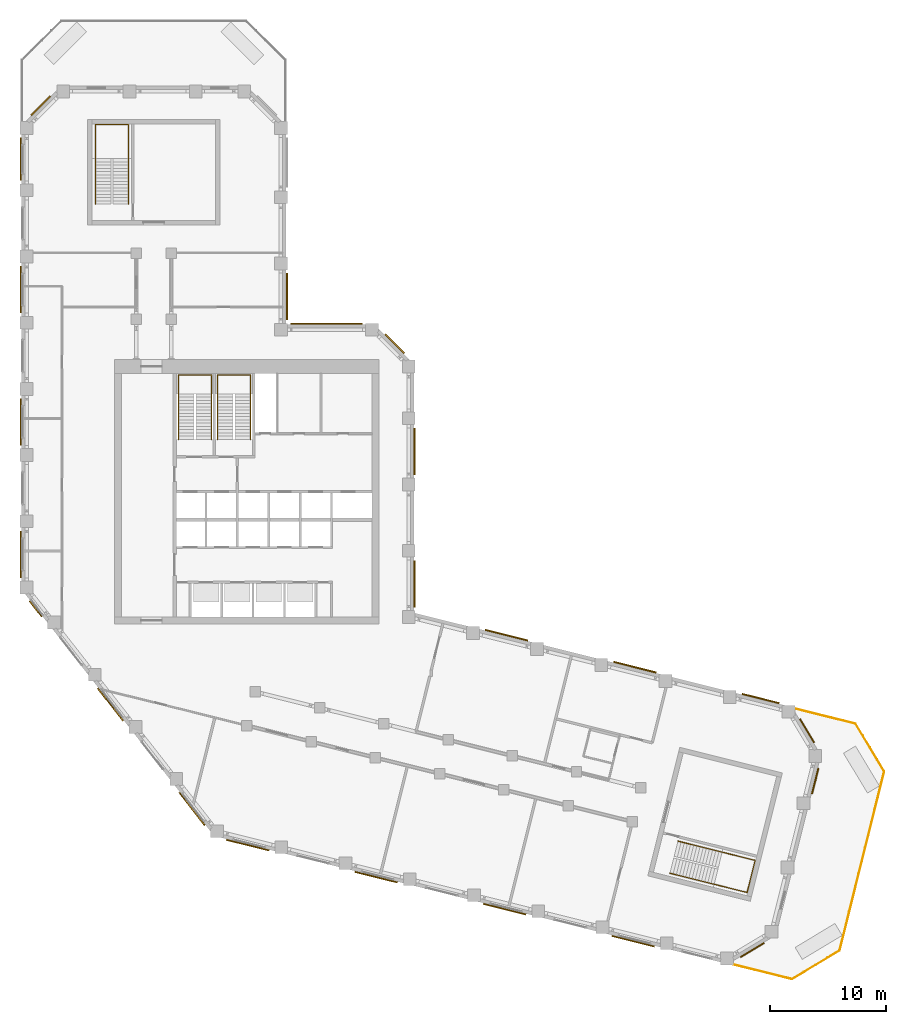
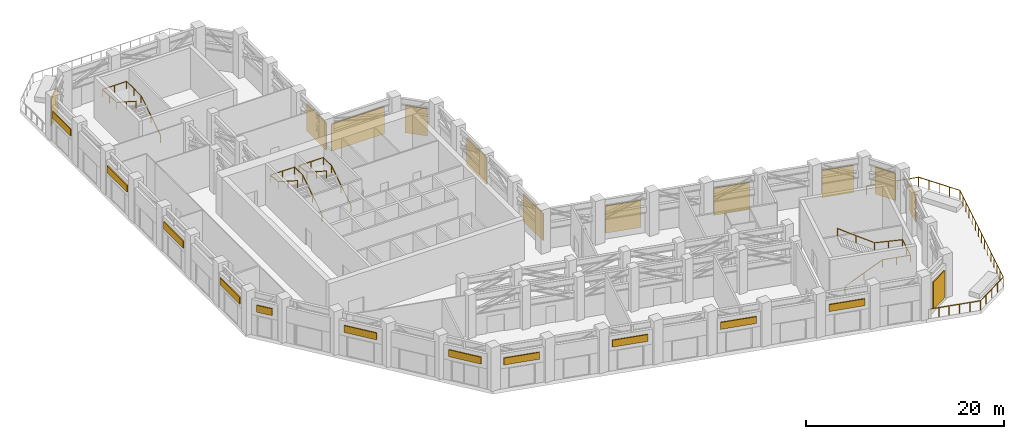
# One storey, part 19 of 21: 23 shading devices, 5 railings.
"""IFC4 building model written with IfcOpenShell, lengths in metres."""

from ifc_helpers import new_model, si_unit, direction, frame, origin, origin_2d, place, context, subcontext, project, spatial, rectangle, circle, extrude, material, layer, layer_set, type_object, element, save


model = new_model("IFC4")

# Units and contexts
model_context = context("Model", 3, precision=1e-05, world=origin(), true_north=direction((0.0, 1.0)))
body_context = subcontext(model_context, "Body", "Model", "MODEL_VIEW")
ifc_project = project(units=[si_unit("LENGTHUNIT", "METRE"), si_unit("AREAUNIT", "SQUARE_METRE"), si_unit("VOLUMEUNIT", "CUBIC_METRE"), si_unit("PLANEANGLEUNIT", "RADIAN"), si_unit("MASSUNIT", "GRAM", prefix="KILO")], contexts=[model_context])

# Site, building, storey
site_placement = place(None, origin())
site = spatial("IfcSite", under=ifc_project, at=site_placement, CompositionType="ELEMENT")
building_placement = place(site_placement, origin())
building = spatial("IfcBuilding", under=site, at=building_placement, Name="Meshkara Civic Tower", CompositionType="ELEMENT")
storey_placement = place(building_placement, frame((0.0, 0.0, 284.39990234375)))
storey = spatial("IfcBuildingStorey", under=building, at=storey_placement, Name="L65", CompositionType="ELEMENT", Elevation=284.39990234375)

# Shading devices
ifc_material_1 = material(Name="Bronze anodised aluminium louvre blades", Category="aluminium")
ifc_layer = layer(ifc_material_1, 0.1201171875)
ifc_layer_set = layer_set([ifc_layer], Name="PLANT LOUVRE BANK")
shading_device_type = type_object("IfcShadingDeviceType", Name="PLANT LOUVRE BANK", PredefinedType="USERDEFINED", material=ifc_layer_set)
shading_device_1_placement = place(storey_placement, frame((63.656005859375, 7.68798828125, 0.5), z_axis=(0.0, 0.0, 1.0), x_axis=(-0.970291503795, 0.241938830418, 0.0)))
element("IfcShadingDevice", 1, at=shading_device_1_placement, inside=storey, type_object=shading_device_type, Name="Louvre bank", ObjectType="LOUVRE", PredefinedType="USERDEFINED", context=body_context, shape_type="SweptSolid", body=[
    extrude(rectangle(XDim=3.281982421875, YDim=0.1201171875, at=origin_2d()), origin(), (0.0, 0.0, 1.0), 3.35009765625),
])
shading_device_2_placement = place(storey_placement, frame((52.8310546875, 10.387939453125, 0.5), z_axis=(0.0, 0.0, 1.0), x_axis=(-0.970291503795, 0.241938830418, 0.0)))
element("IfcShadingDevice", 2, at=shading_device_2_placement, inside=storey, type_object=shading_device_type, Name="Louvre bank", ObjectType="LOUVRE", PredefinedType="USERDEFINED", context=body_context, shape_type="SweptSolid", body=[
    extrude(rectangle(XDim=3.76708984375, YDim=0.1201171875, at=origin_2d()), origin(), (0.0, 0.0, 1.0), 3.35009765625),
])
shading_device_3_placement = place(storey_placement, frame((41.76904296875, 13.14599609375, 0.5), z_axis=(0.0, 0.0, 1.0), x_axis=(-0.970291503795, 0.241938830418, 0.0)))
element("IfcShadingDevice", 3, at=shading_device_3_placement, inside=storey, type_object=shading_device_type, Name="Louvre bank", ObjectType="LOUVRE", PredefinedType="USERDEFINED", context=body_context, shape_type="SweptSolid", body=[
    extrude(rectangle(XDim=3.76611328125, YDim=0.1201171875, at=origin_2d()), origin(), (0.0, 0.0, 1.0), 3.35009765625),
])
for number, where, z_axis, x_axis, name in (
    (4, (33.860107421875, 17.569091796875, 0.5), (0.0, 0.0, 1.0), (0.0, 1.0, 0.0), "Louvre bank"),
    (5, (33.860107421875, 28.968994140625, 0.5), (0.0, 0.0, 1.0), (0.0, 1.0, 0.0), "Louvre bank"),
):
    element("IfcShadingDevice", number, at=place(storey_placement, frame(where, z_axis=z_axis, x_axis=x_axis)), inside=storey, type_object=shading_device_type, Name=name, ObjectType="LOUVRE", PredefinedType="USERDEFINED", context=body_context, shape_type="SweptSolid", body=[
        extrude(rectangle(XDim=4.0, YDim=0.1201171875, at=origin_2d()), origin(), (0.0, 0.0, 1.0), 3.35009765625),
    ])
shading_device_4_placement = place(storey_placement, frame((32.132080078125, 38.23193359375, 0.5), z_axis=(0.0, 0.0, 1.0), x_axis=(-0.707106781187, 0.707106781187, 0.0)))
element("IfcShadingDevice", 6, at=shading_device_4_placement, inside=storey, type_object=shading_device_type, Name="Louvre bank", ObjectType="LOUVRE", PredefinedType="USERDEFINED", context=body_context, shape_type="SweptSolid", body=[
    extrude(rectangle(XDim=2.30810546875, YDim=0.1201171875, at=origin_2d()), origin(), (0.0, 0.0, 1.0), 3.35009765625),
])
shading_device_5_placement = place(storey_placement, frame((26.27197265625, 39.9599609375, 0.5), z_axis=(0.0, 0.0, 1.0), x_axis=(-1.0, 0.0, 0.0)))
element("IfcShadingDevice", 7, at=shading_device_5_placement, inside=storey, type_object=shading_device_type, Name="Louvre bank", ObjectType="LOUVRE", PredefinedType="USERDEFINED", context=body_context, shape_type="SweptSolid", body=[
    extrude(rectangle(XDim=6.14404296875, YDim=0.1201171875, at=origin_2d()), origin(), (0.0, 0.0, 1.0), 3.35009765625),
])
shading_device_6_placement = place(storey_placement, frame((22.860107421875, 42.300048828125, 0.5), z_axis=(0.0, 0.0, 1.0), x_axis=(0.0, 1.0, 0.0)))
element("IfcShadingDevice", 8, at=shading_device_6_placement, inside=storey, type_object=shading_device_type, Name="Louvre bank", ObjectType="LOUVRE", PredefinedType="USERDEFINED", context=body_context, shape_type="SweptSolid", body=[
    extrude(rectangle(XDim=4.0, YDim=0.1201171875, at=origin_2d()), origin(), (0.0, 0.0, 1.0), 3.35009765625),
])
shading_device_7_placement = place(storey_placement, frame((1.66796875, 58.751953125, 0.5), z_axis=(0.0, 0.0, 1.0), x_axis=(-0.707106781187, -0.707106781187, 0.0)))
element("IfcShadingDevice", 9, at=shading_device_7_placement, inside=storey, type_object=shading_device_type, Name="Louvre bank", ObjectType="LOUVRE", PredefinedType="USERDEFINED", context=body_context, shape_type="SweptSolid", body=[
    extrude(rectangle(XDim=2.30810546875, YDim=0.1201171875, at=origin_2d()), origin(), (0.0, 0.0, 1.0), 3.35009765625),
])
shading_device_8_placement = place(storey_placement, frame((-0.06005859375, 54.135009765625, 3.0), z_axis=(0.0, 0.0, 1.0), x_axis=(0.0, -1.0, 0.0)))
element("IfcShadingDevice", 10, at=shading_device_8_placement, inside=storey, type_object=shading_device_type, Name="Louvre bank", ObjectType="LOUVRE", PredefinedType="USERDEFINED", context=body_context, shape_type="SweptSolid", body=[
    extrude(rectangle(XDim=3.658935546875, YDim=0.1201171875, at=origin_2d()), origin(), (0.0, 0.0, 1.0), 0.85009765625),
])
for number, where, z_axis, x_axis, name in (
    (11, (-0.06005859375, 42.905029296875, 3.0), (0.0, 0.0, 1.0), (0.0, -1.0, 0.0), "Louvre bank"),
    (12, (-0.06005859375, 31.5048828125, 3.0), (0.0, 0.0, 1.0), (0.0, -1.0, 0.0), "Louvre bank"),
    (13, (-0.06005859375, 20.10498046875, 3.0), (0.0, 0.0, 1.0), (0.0, -1.0, 0.0), "Louvre bank"),
):
    element("IfcShadingDevice", number, at=place(storey_placement, frame(where, z_axis=z_axis, x_axis=x_axis)), inside=storey, type_object=shading_device_type, Name=name, ObjectType="LOUVRE", PredefinedType="USERDEFINED", context=body_context, shape_type="SweptSolid", body=[
        extrude(rectangle(XDim=4.0, YDim=0.1201171875, at=origin_2d()), origin(), (0.0, 0.0, 1.0), 0.85009765625),
    ])
shading_device_9_placement = place(storey_placement, frame((1.22998046875, 15.427978515625, 3.0), z_axis=(0.0, 0.0, 1.0), x_axis=(0.615661475326, -0.788010753607, 0.0)))
element("IfcShadingDevice", 14, at=shading_device_9_placement, inside=storey, type_object=shading_device_type, Name="Louvre bank", ObjectType="LOUVRE", PredefinedType="USERDEFINED", context=body_context, shape_type="SweptSolid", body=[
    extrude(rectangle(XDim=1.696044921875, YDim=0.1201171875, at=origin_2d()), origin(), (0.0, 0.0, 1.0), 0.85009765625),
])
shading_device_10_placement = place(storey_placement, frame((7.676025390625, 7.177001953125, 3.0), z_axis=(0.0, 0.0, 1.0), x_axis=(0.615661475326, -0.788010753607, 0.0)))
element("IfcShadingDevice", 15, at=shading_device_10_placement, inside=storey, type_object=shading_device_type, Name="Louvre bank", ObjectType="LOUVRE", PredefinedType="USERDEFINED", context=body_context, shape_type="SweptSolid", body=[
    extrude(rectangle(XDim=3.556884765625, YDim=0.1201171875, at=origin_2d()), origin(), (0.0, 0.0, 1.0), 0.85009765625),
])
shading_device_11_placement = place(storey_placement, frame((14.695068359375, -1.805908203125, 3.0), z_axis=(0.0, 0.0, 1.0), x_axis=(0.615661475326, -0.788010753607, 0.0)))
element("IfcShadingDevice", 16, at=shading_device_11_placement, inside=storey, type_object=shading_device_type, Name="Louvre bank", ObjectType="LOUVRE", PredefinedType="USERDEFINED", context=body_context, shape_type="SweptSolid", body=[
    extrude(rectangle(XDim=3.555908203125, YDim=0.1201171875, at=origin_2d()), origin(), (0.0, 0.0, 1.0), 0.85009765625),
])
for number, where, z_axis, x_axis, name in (
    (17, (19.492919921875, -4.922119140625, 3.0), (0.0, 0.0, 1.0), (0.970295726276, -0.2419218956, 0.0), "Louvre bank"),
    (18, (30.553955078125, -7.679931640625, 3.0), (0.0, 0.0, 1.0), (0.970295726276, -0.2419218956, 0.0), "Louvre bank"),
):
    element("IfcShadingDevice", number, at=place(storey_placement, frame(where, z_axis=z_axis, x_axis=x_axis)), inside=storey, type_object=shading_device_type, Name=name, ObjectType="LOUVRE", PredefinedType="USERDEFINED", context=body_context, shape_type="SweptSolid", body=[
        extrude(rectangle(XDim=3.76708984375, YDim=0.1201171875, at=origin_2d()), origin(), (0.0, 0.0, 1.0), 0.85009765625),
    ])
shading_device_12_placement = place(storey_placement, frame((41.615966796875, -10.43798828125, 3.0), z_axis=(0.0, 0.0, 1.0), x_axis=(0.970295726276, -0.2419218956, 0.0)))
element("IfcShadingDevice", 19, at=shading_device_12_placement, inside=storey, type_object=shading_device_type, Name="Louvre bank", ObjectType="LOUVRE", PredefinedType="USERDEFINED", context=body_context, shape_type="SweptSolid", body=[
    extrude(rectangle(XDim=3.76611328125, YDim=0.1201171875, at=origin_2d()), origin(), (0.0, 0.0, 1.0), 0.85009765625),
])
shading_device_13_placement = place(storey_placement, frame((52.677001953125, -13.196044921875, 3.0), z_axis=(0.0, 0.0, 1.0), x_axis=(0.970295726276, -0.2419218956, 0.0)))
element("IfcShadingDevice", 20, at=shading_device_13_placement, inside=storey, type_object=shading_device_type, Name="Louvre bank", ObjectType="LOUVRE", PredefinedType="USERDEFINED", context=body_context, shape_type="SweptSolid", body=[
    extrude(rectangle(XDim=3.76708984375, YDim=0.1201171875, at=origin_2d()), origin(), (0.0, 0.0, 1.0), 0.85009765625),
])
shading_device_14_placement = place(storey_placement, frame((62.94091796875, -13.97412109375, 0.5), z_axis=(0.0, 0.0, 1.0), x_axis=(0.857032434676, 0.515262463132, 0.0)))
element("IfcShadingDevice", 21, at=shading_device_14_placement, inside=storey, type_object=shading_device_type, Name="Louvre bank", ObjectType="LOUVRE", PredefinedType="USERDEFINED", context=body_context, shape_type="SweptSolid", body=[
    extrude(rectangle(XDim=2.35400390625, YDim=0.1201171875, at=origin_2d()), origin(), (0.0, 0.0, 1.0), 3.35009765625),
])
shading_device_15_placement = place(storey_placement, frame((68.35107421875, 0.58203125, 0.5), z_axis=(0.0, 0.0, 1.0), x_axis=(0.241938830418, 0.970291503795, 0.0)))
element("IfcShadingDevice", 22, at=shading_device_15_placement, inside=storey, type_object=shading_device_type, Name="Louvre bank", ObjectType="LOUVRE", PredefinedType="USERDEFINED", context=body_context, shape_type="SweptSolid", body=[
    extrude(rectangle(XDim=2.2529296875, YDim=0.1201171875, at=origin_2d()), origin(), (0.0, 0.0, 1.0), 3.35009765625),
])
shading_device_16_placement = place(storey_placement, frame((67.64990234375, 4.912109375, 0.5), z_axis=(0.0, 0.0, 1.0), x_axis=(-0.515008153813, 0.8571852784, 0.0)))
element("IfcShadingDevice", 23, at=shading_device_16_placement, inside=storey, type_object=shading_device_type, Name="Louvre bank", ObjectType="LOUVRE", PredefinedType="USERDEFINED", context=body_context, shape_type="SweptSolid", body=[
    extrude(rectangle(XDim=2.35400390625, YDim=0.1201171875, at=origin_2d()), origin(), (0.0, 0.0, 1.0), 3.35009765625),
])

# Railings
ifc_material_2 = material(Name="Steel handrail", Category="steel")
railing_type_1 = type_object("IfcRailingType", Name="Stair handrail 900", PredefinedType="HANDRAIL", material=ifc_material_2)
railing_1_placement = place(storey_placement, frame((16.375, 30.0, 0.18017578125)))
element("IfcRailing", 24, at=railing_1_placement, inside=storey, type_object=railing_type_1, Name="L65 ST1 stair handrail 1", PredefinedType="HANDRAIL", context=body_context, shape_type="SweptSolid", body=[
    extrude(circle(Radius=0.02392578125, at=origin_2d()), frame((0.0, 0.0, 0.8759765625), z_axis=(0.0, 0.841171666519, 0.540768182723), x_axis=(-1.0, 0.0, 0.0)), (0.0, 0.0, 1.0), 4.66015625),
    extrude(circle(Radius=0.02392578125, at=origin_2d()), frame((0.0, 3.919921875, 3.39599609375), z_axis=(0.0, 1.0, 0.0), x_axis=(-1.0, 0.0, 0.0)), (0.0, 0.0, 1.0), 1.630126953125),
    extrude(circle(Radius=0.02392578125, at=origin_2d()), frame((0.0, 5.550048828125, 3.39599609375), z_axis=(-1.0, 0.0, 0.0), x_axis=(0.0, -1.0, 0.0)), (0.0, 0.0, 1.0), 2.85009765625),
    extrude(circle(Radius=0.02392578125, at=origin_2d()), frame((-2.85009765625, 5.550048828125, 3.39599609375), z_axis=(0.0, -0.99396335279, 0.10971259413), x_axis=(1.0, 0.0, 0.0)), (0.0, 0.0, 1.0), 1.64013671875),
    extrude(circle(Radius=0.02392578125, at=origin_2d()), frame((-2.85009765625, 3.919921875, 3.57568359375), z_axis=(0.0, -0.841171666519, 0.540768182723), x_axis=(1.0, 0.0, 0.0)), (0.0, 0.0, 1.0), 4.66015625),
    extrude(circle(Radius=0.02099609375, at=origin_2d()), origin(), (0.0, 0.0, 1.0), 0.851806640625),
    extrude(circle(Radius=0.02099609375, at=origin_2d()), frame((0.0, 1.9599609375, 1.260009765625)), (0.0, 0.0, 1.0), 0.851806640625),
    extrude(circle(Radius=0.02099609375, at=origin_2d()), frame((0.0, 3.919921875, 2.52001953125)), (0.0, 0.0, 1.0), 0.851806640625),
    extrude(circle(Radius=0.02099609375, at=origin_2d()), frame((0.0, 5.550048828125, 2.52001953125)), (0.0, 0.0, 1.0), 0.851806640625),
    extrude(circle(Radius=0.02099609375, at=origin_2d()), frame((-1.425048828125, 5.550048828125, 2.52001953125)), (0.0, 0.0, 1.0), 0.851806640625),
    extrude(circle(Radius=0.02099609375, at=origin_2d()), frame((-2.85009765625, 5.550048828125, 2.52001953125)), (0.0, 0.0, 1.0), 0.851806640625),
    extrude(circle(Radius=0.02099609375, at=origin_2d()), frame((-2.85009765625, 3.919921875, 2.699951171875)), (0.0, 0.0, 1.0), 0.851806640625),
    extrude(circle(Radius=0.02099609375, at=origin_2d()), frame((-2.85009765625, 1.9599609375, 3.9599609375)), (0.0, 0.0, 1.0), 0.851806640625),
    extrude(circle(Radius=0.02099609375, at=origin_2d()), frame((-2.85009765625, 0.0, 5.219970703125)), (0.0, 0.0, 1.0), 0.851806640625),
])
railing_2_placement = place(storey_placement, frame((19.72509765625, 30.0, 0.18017578125)))
element("IfcRailing", 25, at=railing_2_placement, inside=storey, type_object=railing_type_1, Name="L65 ST2 stair handrail 1", PredefinedType="HANDRAIL", context=body_context, shape_type="SweptSolid", body=[
    extrude(circle(Radius=0.02392578125, at=origin_2d()), frame((0.0, 0.0, 0.8759765625), z_axis=(0.0, 0.841171666519, 0.540768182723), x_axis=(-1.0, 0.0, 0.0)), (0.0, 0.0, 1.0), 4.66015625),
    extrude(circle(Radius=0.02392578125, at=origin_2d()), frame((0.0, 3.919921875, 3.39599609375), z_axis=(0.0, 1.0, 0.0), x_axis=(-1.0, 0.0, 0.0)), (0.0, 0.0, 1.0), 1.630126953125),
    extrude(circle(Radius=0.02392578125, at=origin_2d()), frame((0.0, 5.550048828125, 3.39599609375), z_axis=(-1.0, 0.0, 0.0), x_axis=(0.0, -1.0, 0.0)), (0.0, 0.0, 1.0), 2.85009765625),
    extrude(circle(Radius=0.02392578125, at=origin_2d()), frame((-2.85009765625, 5.550048828125, 3.39599609375), z_axis=(0.0, -0.99396335279, 0.10971259413), x_axis=(1.0, 0.0, 0.0)), (0.0, 0.0, 1.0), 1.64013671875),
    extrude(circle(Radius=0.02392578125, at=origin_2d()), frame((-2.85009765625, 3.919921875, 3.57568359375), z_axis=(0.0, -0.841171666519, 0.540768182723), x_axis=(1.0, 0.0, 0.0)), (0.0, 0.0, 1.0), 4.66015625),
    extrude(circle(Radius=0.02099609375, at=origin_2d()), origin(), (0.0, 0.0, 1.0), 0.851806640625),
    extrude(circle(Radius=0.02099609375, at=origin_2d()), frame((0.0, 1.9599609375, 1.260009765625)), (0.0, 0.0, 1.0), 0.851806640625),
    extrude(circle(Radius=0.02099609375, at=origin_2d()), frame((0.0, 3.919921875, 2.52001953125)), (0.0, 0.0, 1.0), 0.851806640625),
    extrude(circle(Radius=0.02099609375, at=origin_2d()), frame((0.0, 5.550048828125, 2.52001953125)), (0.0, 0.0, 1.0), 0.851806640625),
    extrude(circle(Radius=0.02099609375, at=origin_2d()), frame((-1.425048828125, 5.550048828125, 2.52001953125)), (0.0, 0.0, 1.0), 0.851806640625),
    extrude(circle(Radius=0.02099609375, at=origin_2d()), frame((-2.85009765625, 5.550048828125, 2.52001953125)), (0.0, 0.0, 1.0), 0.851806640625),
    extrude(circle(Radius=0.02099609375, at=origin_2d()), frame((-2.85009765625, 3.919921875, 2.699951171875)), (0.0, 0.0, 1.0), 0.851806640625),
    extrude(circle(Radius=0.02099609375, at=origin_2d()), frame((-2.85009765625, 1.9599609375, 3.9599609375)), (0.0, 0.0, 1.0), 0.851806640625),
    extrude(circle(Radius=0.02099609375, at=origin_2d()), frame((-2.85009765625, 0.0, 5.219970703125)), (0.0, 0.0, 1.0), 0.851806640625),
])
railing_3_placement = place(storey_placement, frame((9.22509765625, 50.27001953125, 0.18017578125)))
element("IfcRailing", 26, at=railing_3_placement, inside=storey, type_object=railing_type_1, Name="L65 ESA5 stair handrail 1", PredefinedType="HANDRAIL", context=body_context, shape_type="SweptSolid", body=[
    extrude(circle(Radius=0.02392578125, at=origin_2d()), frame((0.0, 0.0, 0.8759765625), z_axis=(0.0, 0.841171666519, 0.540768182723), x_axis=(-1.0, 0.0, 0.0)), (0.0, 0.0, 1.0), 4.66015625),
    extrude(circle(Radius=0.02392578125, at=origin_2d()), frame((0.0, 3.919921875, 3.39599609375), z_axis=(0.0, 1.0, 0.0), x_axis=(-1.0, 0.0, 0.0)), (0.0, 0.0, 1.0), 2.93017578125),
    extrude(circle(Radius=0.02392578125, at=origin_2d()), frame((0.0, 6.85009765625, 3.39599609375), z_axis=(-1.0, 0.0, 0.0), x_axis=(0.0, -1.0, 0.0)), (0.0, 0.0, 1.0), 2.85009765625),
    extrude(circle(Radius=0.02392578125, at=origin_2d()), frame((-2.85009765625, 6.85009765625, 3.39599609375), z_axis=(0.0, -0.998119940297, 0.061290984502), x_axis=(1.0, 0.0, 0.0)), (0.0, 0.0, 1.0), 2.935791015625),
    extrude(circle(Radius=0.02392578125, at=origin_2d()), frame((-2.85009765625, 3.919921875, 3.57568359375), z_axis=(0.0, -0.841171666519, 0.540768182723), x_axis=(1.0, 0.0, 0.0)), (0.0, 0.0, 1.0), 4.66015625),
    extrude(circle(Radius=0.02099609375, at=origin_2d()), origin(), (0.0, 0.0, 1.0), 0.851806640625),
    extrude(circle(Radius=0.02099609375, at=origin_2d()), frame((0.0, 1.9599609375, 1.260009765625)), (0.0, 0.0, 1.0), 0.851806640625),
    extrude(circle(Radius=0.02099609375, at=origin_2d()), frame((0.0, 3.919921875, 2.52001953125)), (0.0, 0.0, 1.0), 0.851806640625),
    extrude(circle(Radius=0.02099609375, at=origin_2d()), frame((0.0, 5.385009765625, 2.52001953125)), (0.0, 0.0, 1.0), 0.851806640625),
    extrude(circle(Radius=0.02099609375, at=origin_2d()), frame((0.0, 6.85009765625, 2.52001953125)), (0.0, 0.0, 1.0), 0.851806640625),
    extrude(circle(Radius=0.02099609375, at=origin_2d()), frame((-1.425048828125, 6.85009765625, 2.52001953125)), (0.0, 0.0, 1.0), 0.851806640625),
    extrude(circle(Radius=0.02099609375, at=origin_2d()), frame((-2.85009765625, 6.85009765625, 2.52001953125)), (0.0, 0.0, 1.0), 0.851806640625),
    extrude(circle(Radius=0.02099609375, at=origin_2d()), frame((-2.85009765625, 5.385009765625, 2.60986328125)), (0.0, 0.0, 1.0), 0.851806640625),
    extrude(circle(Radius=0.02099609375, at=origin_2d()), frame((-2.85009765625, 3.919921875, 2.699951171875)), (0.0, 0.0, 1.0), 0.851806640625),
    extrude(circle(Radius=0.02099609375, at=origin_2d()), frame((-2.85009765625, 1.9599609375, 3.9599609375)), (0.0, 0.0, 1.0), 0.851806640625),
    extrude(circle(Radius=0.02099609375, at=origin_2d()), frame((-2.85009765625, 0.0, 5.219970703125)), (0.0, 0.0, 1.0), 0.851806640625),
])
railing_4_placement = place(storey_placement, frame((55.849365234375, -7.3544921875, 0.18017578125)))
element("IfcRailing", 27, at=railing_4_placement, inside=storey, type_object=railing_type_1, Name="L65 ESB5 stair handrail 1", PredefinedType="HANDRAIL", context=body_context, shape_type="SweptSolid", body=[
    extrude(circle(Radius=0.02392578125, at=origin_2d()), frame((0.0, 0.0, 0.8759765625), z_axis=(0.816160561406, -0.203634129417, 0.540754176445), x_axis=(0.242081322746, 0.970255962712, 0.0)), (0.0, 0.0, 1.0), 4.66015625),
    extrude(circle(Radius=0.02392578125, at=origin_2d()), frame((3.803466796875, -0.948974609375, 3.39599609375), z_axis=(0.970260024199, -0.242065043825, 0.0), x_axis=(0.242065043825, 0.970260024199, 0.0)), (0.0, 0.0, 1.0), 2.929931640625),
    extrude(circle(Radius=0.02392578125, at=origin_2d()), frame((6.646240234375, -1.658203125, 3.39599609375), z_axis=(0.242072031574, 0.970258280835, 0.0), x_axis=(-0.970258280835, 0.242072031574, 0.0)), (0.0, 0.0, 1.0), 2.85009765625),
    extrude(circle(Radius=0.02392578125, at=origin_2d()), frame((7.336181640625, 1.107177734375, 3.39599609375), z_axis=(-0.968435545975, 0.241609864399, 0.061296547353), x_axis=(-0.242065043825, -0.970260024199, 0.0)), (0.0, 0.0, 1.0), 2.935546875),
    extrude(circle(Radius=0.02392578125, at=origin_2d()), frame((4.493408203125, 1.81640625, 3.57568359375), z_axis=(-0.816169267298, 0.203583912492, 0.540759944608), x_axis=(-0.242022691489, -0.970270589477, 0.0)), (0.0, 0.0, 1.0), 4.66015625),
    extrude(circle(Radius=0.02099609375, at=origin_2d()), origin(), (0.0, 0.0, 1.0), 0.851806640625),
    extrude(circle(Radius=0.02099609375, at=origin_2d()), frame((1.90185546875, -0.474609375, 1.260009765625)), (0.0, 0.0, 1.0), 0.851806640625),
    extrude(circle(Radius=0.02099609375, at=origin_2d()), frame((3.803466796875, -0.948974609375, 2.52001953125)), (0.0, 0.0, 1.0), 0.851806640625),
    extrude(circle(Radius=0.02099609375, at=origin_2d()), frame((5.224853515625, -1.3037109375, 2.52001953125)), (0.0, 0.0, 1.0), 0.851806640625),
    extrude(circle(Radius=0.02099609375, at=origin_2d()), frame((6.646240234375, -1.658203125, 2.52001953125)), (0.0, 0.0, 1.0), 0.851806640625),
    extrude(circle(Radius=0.02099609375, at=origin_2d()), frame((6.9912109375, -0.275390625, 2.52001953125)), (0.0, 0.0, 1.0), 0.851806640625),
    extrude(circle(Radius=0.02099609375, at=origin_2d()), frame((7.336181640625, 1.107177734375, 2.52001953125)), (0.0, 0.0, 1.0), 0.851806640625),
    extrude(circle(Radius=0.02099609375, at=origin_2d()), frame((5.914794921875, 1.4619140625, 2.60986328125)), (0.0, 0.0, 1.0), 0.851806640625),
    extrude(circle(Radius=0.02099609375, at=origin_2d()), frame((4.493408203125, 1.81640625, 2.699951171875)), (0.0, 0.0, 1.0), 0.851806640625),
    extrude(circle(Radius=0.02099609375, at=origin_2d()), frame((2.591796875, 2.290771484375, 3.9599609375)), (0.0, 0.0, 1.0), 0.851806640625),
    extrude(circle(Radius=0.02099609375, at=origin_2d()), frame((0.68994140625, 2.76513671875, 5.219970703125)), (0.0, 0.0, 1.0), 0.851806640625),
])
ifc_material_3 = material(Name="Steel S355", Category="steel")
railing_type_2 = type_object("IfcRailingType", Name="TERRACE BALUSTRADE 1150", PredefinedType="BALUSTRADE", material=ifc_material_3)
railing_5_placement = place(storey_placement, frame((66.541015625, 6.8349609375, 0.0)))
element("IfcRailing", 28, at=railing_5_placement, inside=storey, type_object=railing_type_2, Name="Terrace guard", PredefinedType="BALUSTRADE", context=body_context, shape_type="SweptSolid", body=[
    extrude(circle(Radius=0.02392578125, at=origin_2d()), frame((0.0, 0.0, 1.1259765625), z_axis=(0.970292231073, -0.24193591366, 0.0), x_axis=(0.24193591366, 0.970292231073, 0.0)), (0.0, 0.0, 1.0), 5.460205078125),
    extrude(circle(Radius=0.02392578125, at=origin_2d()), frame((5.298095703125, -1.321044921875, 1.1259765625), z_axis=(0.515104336277, -0.85712748337, 0.0), x_axis=(0.85712748337, 0.515104336277, 0.0)), (0.0, 0.0, 1.0), 4.777587890625),
    extrude(circle(Radius=0.02392578125, at=origin_2d()), frame((7.759033203125, -5.416015625, 1.1259765625), z_axis=(-0.241925088376, -0.970294930222, 0.0), x_axis=(0.970294930222, -0.241925088376, 0.0)), (0.0, 0.0, 1.0), 15.90234375),
    extrude(circle(Radius=0.02392578125, at=origin_2d()), frame((3.911865234375, -20.845947265625, 1.1259765625), z_axis=(-0.857181704798, -0.515014101709, 0.0), x_axis=(0.515014101709, -0.857181704798, 0.0)), (0.0, 0.0, 1.0), 4.7783203125),
    extrude(circle(Radius=0.02392578125, at=origin_2d()), frame((-0.18408203125, -23.306884765625, 1.1259765625), z_axis=(-0.970268663199, 0.242030413819, 0.0), x_axis=(-0.242030413819, -0.970268663199, 0.0)), (0.0, 0.0, 1.0), 5.458251953125),
    extrude(circle(Radius=0.02099609375, at=origin_2d()), origin(), (0.0, 0.0, 1.0), 1.101806640625),
    extrude(circle(Radius=0.02099609375, at=origin_2d()), frame((1.0595703125, -0.26416015625, 0.0)), (0.0, 0.0, 1.0), 1.101806640625),
    extrude(circle(Radius=0.02099609375, at=origin_2d()), frame((2.119140625, -0.5283203125, 0.0)), (0.0, 0.0, 1.0), 1.101806640625),
    extrude(circle(Radius=0.02099609375, at=origin_2d()), frame((3.178955078125, -0.792724609375, 0.0)), (0.0, 0.0, 1.0), 1.101806640625),
    extrude(circle(Radius=0.02099609375, at=origin_2d()), frame((4.238525390625, -1.056884765625, 0.0)), (0.0, 0.0, 1.0), 1.101806640625),
    extrude(circle(Radius=0.02099609375, at=origin_2d()), frame((5.298095703125, -1.321044921875, 0.0)), (0.0, 0.0, 1.0), 1.101806640625),
    extrude(circle(Radius=0.02099609375, at=origin_2d()), frame((5.913330078125, -2.3447265625, 0.0)), (0.0, 0.0, 1.0), 1.101806640625),
    extrude(circle(Radius=0.02099609375, at=origin_2d()), frame((6.528564453125, -3.36865234375, 0.0)), (0.0, 0.0, 1.0), 1.101806640625),
    extrude(circle(Radius=0.02099609375, at=origin_2d()), frame((7.143798828125, -4.392333984375, 0.0)), (0.0, 0.0, 1.0), 1.101806640625),
    extrude(circle(Radius=0.02099609375, at=origin_2d()), frame((7.759033203125, -5.416015625, 0.0)), (0.0, 0.0, 1.0), 1.101806640625),
    extrude(circle(Radius=0.02099609375, at=origin_2d()), frame((7.484130859375, -6.51806640625, 0.0)), (0.0, 0.0, 1.0), 1.101806640625),
    extrude(circle(Radius=0.02099609375, at=origin_2d()), frame((7.20947265625, -7.620361328125, 0.0)), (0.0, 0.0, 1.0), 1.101806640625),
    extrude(circle(Radius=0.02099609375, at=origin_2d()), frame((6.9345703125, -8.722412109375, 0.0)), (0.0, 0.0, 1.0), 1.101806640625),
    extrude(circle(Radius=0.02099609375, at=origin_2d()), frame((6.659912109375, -9.824462890625, 0.0)), (0.0, 0.0, 1.0), 1.101806640625),
    extrude(circle(Radius=0.02099609375, at=origin_2d()), frame((6.385009765625, -10.9267578125, 0.0)), (0.0, 0.0, 1.0), 1.101806640625),
    extrude(circle(Radius=0.02099609375, at=origin_2d()), frame((6.1103515625, -12.02880859375, 0.0)), (0.0, 0.0, 1.0), 1.101806640625),
    extrude(circle(Radius=0.02099609375, at=origin_2d()), frame((5.83544921875, -13.130859375, 0.0)), (0.0, 0.0, 1.0), 1.101806640625),
    extrude(circle(Radius=0.02099609375, at=origin_2d()), frame((5.560546875, -14.233154296875, 0.0)), (0.0, 0.0, 1.0), 1.101806640625),
    extrude(circle(Radius=0.02099609375, at=origin_2d()), frame((5.285888671875, -15.335205078125, 0.0)), (0.0, 0.0, 1.0), 1.101806640625),
    extrude(circle(Radius=0.02099609375, at=origin_2d()), frame((5.010986328125, -16.4375, 0.0)), (0.0, 0.0, 1.0), 1.101806640625),
    extrude(circle(Radius=0.02099609375, at=origin_2d()), frame((4.736328125, -17.53955078125, 0.0)), (0.0, 0.0, 1.0), 1.101806640625),
    extrude(circle(Radius=0.02099609375, at=origin_2d()), frame((4.46142578125, -18.6416015625, 0.0)), (0.0, 0.0, 1.0), 1.101806640625),
    extrude(circle(Radius=0.02099609375, at=origin_2d()), frame((4.186767578125, -19.743896484375, 0.0)), (0.0, 0.0, 1.0), 1.101806640625),
    extrude(circle(Radius=0.02099609375, at=origin_2d()), frame((3.911865234375, -20.845947265625, 0.0)), (0.0, 0.0, 1.0), 1.101806640625),
    extrude(circle(Radius=0.02099609375, at=origin_2d()), frame((2.887939453125, -21.461181640625, 0.0)), (0.0, 0.0, 1.0), 1.101806640625),
    extrude(circle(Radius=0.02099609375, at=origin_2d()), frame((1.86376953125, -22.076416015625, 0.0)), (0.0, 0.0, 1.0), 1.101806640625),
    extrude(circle(Radius=0.02099609375, at=origin_2d()), frame((0.83984375, -22.691650390625, 0.0)), (0.0, 0.0, 1.0), 1.101806640625),
    extrude(circle(Radius=0.02099609375, at=origin_2d()), frame((-0.18408203125, -23.306884765625, 0.0)), (0.0, 0.0, 1.0), 1.101806640625),
    extrude(circle(Radius=0.02099609375, at=origin_2d()), frame((-1.2431640625, -23.042724609375, 0.0)), (0.0, 0.0, 1.0), 1.101806640625),
    extrude(circle(Radius=0.02099609375, at=origin_2d()), frame((-2.302490234375, -22.778564453125, 0.0)), (0.0, 0.0, 1.0), 1.101806640625),
    extrude(circle(Radius=0.02099609375, at=origin_2d()), frame((-3.361572265625, -22.51416015625, 0.0)), (0.0, 0.0, 1.0), 1.101806640625),
    extrude(circle(Radius=0.02099609375, at=origin_2d()), frame((-4.4208984375, -22.25, 0.0)), (0.0, 0.0, 1.0), 1.101806640625),
    extrude(circle(Radius=0.02099609375, at=origin_2d()), frame((-5.47998046875, -21.98583984375, 0.0)), (0.0, 0.0, 1.0), 1.101806640625),
])

save(model, "model.ifc")
